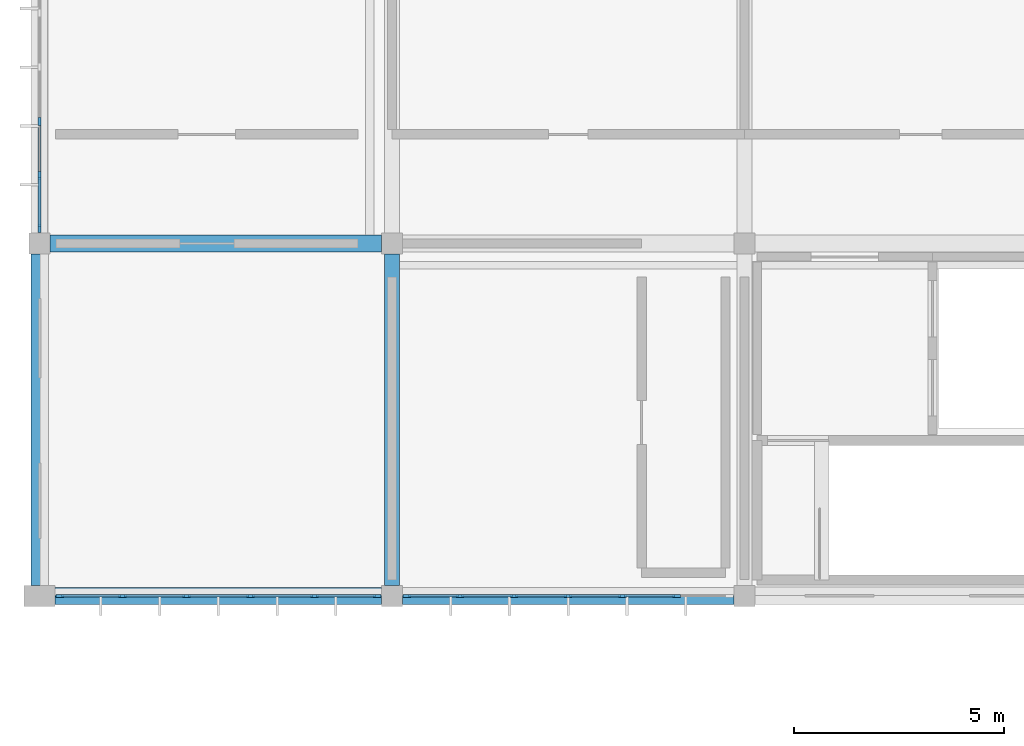
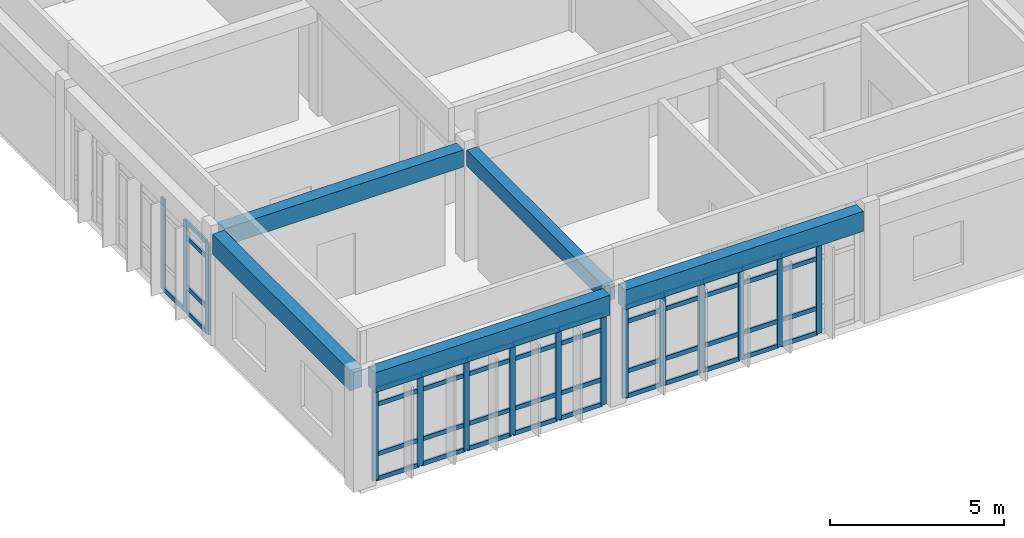
# One storey, part 3 of 119: 60 members, 5 beams, 3 elements without a shape of their own.
"""IFC4 building model written with IfcOpenShell, lengths in metres."""

import ifcopenshell
import ifcopenshell.guid

model = None  # the IFC model being written
_history = None  # IfcOwnerHistory: only IFC2X3 demands one
_inside = {}  # id of a spatial element -> (the spatial element, [elements in it])
_under = {}  # id of a project, library or spatial element -> (it, [spatial elements below it])
_declared = {}  # id of a project -> (the project, [libraries it declares])
_typed = {}  # id of a type object -> (the type object, [elements of that type])
_made_of = {}  # id of a material, layer set ... -> (it, [elements and type objects made of it])


def new_model(schema):
    """Start an empty IFC model of exactly this schema.

    Asked for "IFC4X3", IfcOpenShell would pick the latest addendum, in which some entities
    have other attributes; the version numbers below select the first issue.
    IFC2X3 requires an IfcOwnerHistory on every rooted entity: one is made here for all.
    """
    global model, _history
    if schema == "IFC4X3":
        model = ifcopenshell.file(schema_version=(4, 3, 0, 0))
    else:
        model = ifcopenshell.file(schema=schema)
    _inside.clear()
    _under.clear()
    _declared.clear()
    _typed.clear()
    _made_of.clear()
    _history = None
    if model.schema == "IFC2X3":
        org = make("IfcOrganization", Name="unknown")
        user = make(
            "IfcPersonAndOrganization",
            ThePerson=make("IfcPerson", FamilyName="unknown"),
            TheOrganization=org,
        )
        app = make(
            "IfcApplication",
            ApplicationDeveloper=org,
            Version="unknown",
            ApplicationFullName="unknown",
            ApplicationIdentifier="unknown",
        )
        _history = make(
            "IfcOwnerHistory",
            OwningUser=user,
            OwningApplication=app,
            ChangeAction="ADDED",
            CreationDate=0,
        )
    return model


def make(cls, **values):
    """One entity of the class cls with the attributes given. An attribute that is None is left unset."""
    return model.create_entity(
        cls, **{name: value for name, value in values.items() if value is not None}
    )


def rooted(cls, **values):
    """An entity with a GlobalId (a new one), such as an element, a storey or a relation."""
    return make(cls, GlobalId=ifcopenshell.guid.new(), OwnerHistory=_history, **values)


def si_unit(unit_type, name, prefix=None):
    """IfcSIUnit, for example si_unit("LENGTHUNIT", "METRE", prefix="MILLI")."""
    return make("IfcSIUnit", UnitType=unit_type, Prefix=prefix, Name=name)


def assignment(units):
    """IfcUnitAssignment: the units of a project."""
    return None if units is None else make("IfcUnitAssignment", Units=units)


def point(xyz):
    """IfcCartesianPoint."""
    return None if xyz is None else make("IfcCartesianPoint", Coordinates=xyz)


def direction(xyz):
    """IfcDirection."""
    return None if xyz is None else make("IfcDirection", DirectionRatios=xyz)


def frame(location, z_axis=None, x_axis=None):
    """IfcAxis2Placement3D, a coordinate frame: its origin and axes. An axis left out is left unset."""
    return make(
        "IfcAxis2Placement3D",
        Location=point(location),
        Axis=direction(z_axis),
        RefDirection=direction(x_axis),
    )


def frame_2d(location, x_axis=None):
    """IfcAxis2Placement2D, a coordinate frame in the plane: its origin and x axis."""
    return make(
        "IfcAxis2Placement2D", Location=point(location), RefDirection=direction(x_axis)
    )


def origin():
    """The frame at (0, 0, 0) with its axes left unset."""
    return frame((0.0, 0.0, 0.0))


def origin_2d():
    """The frame at (0, 0) in the plane with its x axis left unset."""
    return frame_2d((0.0, 0.0))


def place(relative_to, where):
    """IfcLocalPlacement: puts the frame where relative to a parent placement (None: the world)."""
    return make(
        "IfcLocalPlacement", PlacementRelTo=relative_to, RelativePlacement=where
    )


def context(
    kind, dimensions, precision=None, world=None, true_north=None, identifier=None
):
    """IfcGeometricRepresentationContext, for example the 3D "Model" context."""
    return make(
        "IfcGeometricRepresentationContext",
        ContextIdentifier=identifier,
        ContextType=kind,
        CoordinateSpaceDimension=dimensions,
        Precision=precision,
        WorldCoordinateSystem=world,
        TrueNorth=true_north,
    )


def subcontext(parent, identifier, kind, view, scale=None):
    """IfcGeometricRepresentationSubContext, for example "Body" below "Model"."""
    return make(
        "IfcGeometricRepresentationSubContext",
        ContextIdentifier=identifier,
        ContextType=kind,
        ParentContext=parent,
        TargetScale=scale,
        TargetView=view,
    )


def project(units=None, contexts=None):
    """IfcProject with its units and contexts."""
    return rooted(
        "IfcProject",
        Name="project",
        RepresentationContexts=contexts,
        UnitsInContext=assignment(units),
    )


def spatial(cls, under=None, at=None, **own):
    """A site, building, storey or space (cls), placed at a placement, below another one or the project."""
    s = rooted(cls, ObjectPlacement=at, **own)
    if under is not None:
        _under.setdefault(under.id(), (under, []))[1].append(s)
    return s


def profile(cls, at=None, kind="AREA", **sizes):
    """A parametric profile (cls). Its sizes go by their IFC names, for example OverallWidth=200.0."""
    return make(cls, ProfileType=kind, Position=at, **sizes)


def rectangle(**sizes):
    """IfcRectangleProfileDef."""
    return profile("IfcRectangleProfileDef", **sizes)


def extrude(swept, where, along, depth):
    """IfcExtrudedAreaSolid: the profile swept, set in the frame where, extruded along a direction by depth."""
    return make(
        "IfcExtrudedAreaSolid",
        SweptArea=swept,
        Position=where,
        ExtrudedDirection=direction(along),
        Depth=depth,
    )


def shape(context_of_items, identifier, shape_type, items):
    """IfcShapeRepresentation: the items that make up one representation, for example the "Body"."""
    return make(
        "IfcShapeRepresentation",
        ContextOfItems=context_of_items,
        RepresentationIdentifier=identifier,
        RepresentationType=shape_type,
        Items=items,
    )


def material(Name=None, Category=None):
    """IfcMaterial."""
    return make("IfcMaterial", Name=Name, Category=Category)


def layer(
    of_material, thickness, ventilated=None, Name=None, Category=None, Priority=None
):
    """IfcMaterialLayer: one layer of a wall or slab, of a material (None: an air gap)."""
    return make(
        "IfcMaterialLayer",
        Material=of_material,
        LayerThickness=thickness,
        IsVentilated=ventilated,
        Name=Name,
        Category=Category,
        Priority=Priority,
    )


def layer_set(layers, Name=None):
    """IfcMaterialLayerSet."""
    return make("IfcMaterialLayerSet", MaterialLayers=layers, LayerSetName=Name)


def material_profile(
    of_material, cross_section, Name=None, Category=None, Priority=None
):
    """IfcMaterialProfile: a cross section and its material."""
    return make(
        "IfcMaterialProfile",
        Name=Name,
        Material=of_material,
        Profile=cross_section,
        Priority=Priority,
        Category=Category,
    )


def profile_set(profiles, Name=None, composite=None):
    """IfcMaterialProfileSet."""
    return make(
        "IfcMaterialProfileSet",
        Name=Name,
        MaterialProfiles=profiles,
        CompositeProfile=composite,
    )


def made_of(thing, what):
    """Note that an element or type object is made of a material, layer set ...; save() writes the relation."""
    if what is not None:
        _made_of.setdefault(what.id(), (what, []))[1].append(thing)
    return thing


def type_object(cls, material=None, **own):
    """A type object (cls), such as IfcWallType, which elements share."""
    return made_of(rooted(cls, **own), material)


def element(
    cls,
    number,
    at=None,
    inside=None,
    cuts=None,
    type_object=None,
    material=None,
    context=None,
    identifier="Body",
    shape_type=None,
    held_by="IfcProductDefinitionShape",
    body=None,
    shapes=None,
    **own,
):
    """One element of the class cls, such as IfcWall. Its Tag is "e" and its number.

    at: its placement. inside: the storey or other place that contains it. cuts: it is an
    opening in that element (IfcRelVoidsElement). A single representation is given by context,
    identifier, shape_type and body (its items); several are given by shapes. held_by: the class
    of the entity that holds the representations. save() writes the other relations.
    """
    e = rooted(cls, Tag="e%d" % number, ObjectPlacement=at, **own)
    if body is not None:
        shapes = [shape(context, identifier, shape_type, body)]
    if shapes is not None:
        e.Representation = make(held_by, Representations=shapes)
    if inside is not None:
        _inside.setdefault(inside.id(), (inside, []))[1].append(e)
    if cuts is not None:
        rooted(
            "IfcRelVoidsElement", RelatingBuildingElement=cuts, RelatedOpeningElement=e
        )
    if type_object is not None:
        _typed.setdefault(type_object.id(), (type_object, []))[1].append(e)
    return made_of(e, material)


def aggregate(whole, parts):
    """IfcRelAggregates: a whole, such as a stair, and the parts it consists of."""
    return rooted("IfcRelAggregates", RelatingObject=whole, RelatedObjects=parts)


def save(model, path):
    """Write the relations noted so far, then the file.

    IfcRelAggregates (storeys below a building ...), IfcRelContainedInSpatialStructure (elements
    in a storey), IfcRelDefinesByType, IfcRelAssociatesMaterial and IfcRelDeclares: one each for
    every whole, place, type object, material and project.
    """
    for whole, parts in _under.values():
        aggregate(whole, parts)
    for where, things in _inside.values():
        rooted(
            "IfcRelContainedInSpatialStructure",
            RelatedElements=things,
            RelatingStructure=where,
        )
    for kind, things in _typed.values():
        rooted("IfcRelDefinesByType", RelatedObjects=things, RelatingType=kind)
    for what, things in _made_of.values():
        rooted("IfcRelAssociatesMaterial", RelatedObjects=things, RelatingMaterial=what)
    for by, libraries in _declared.values():
        rooted("IfcRelDeclares", RelatingContext=by, RelatedDefinitions=libraries)
    model.write(path)


model = new_model("IFC4")

# Units and contexts
model_context = context("Model", 3, precision=1e-05, world=origin(), true_north=direction((0.0, 1.0)))
body_context = subcontext(model_context, "Body", "Model", "MODEL_VIEW")
ifc_project = project(units=[si_unit("LENGTHUNIT", "METRE"), si_unit("AREAUNIT", "SQUARE_METRE"), si_unit("VOLUMEUNIT", "CUBIC_METRE"), si_unit("PLANEANGLEUNIT", "RADIAN"), si_unit("MASSUNIT", "GRAM", prefix="KILO")], contexts=[model_context])

# Site, building, storey
site_placement = place(None, origin())
site = spatial("IfcSite", under=ifc_project, at=site_placement, CompositionType="ELEMENT")
building_placement = place(site_placement, origin())
building = spatial("IfcBuilding", under=site, at=building_placement, Name="Bramfleet General Hospital", CompositionType="ELEMENT")
storey_placement = place(building_placement, frame((0.0, 0.0, 14.39990234375)))
storey = spatial("IfcBuildingStorey", under=building, at=storey_placement, Name="L03", CompositionType="ELEMENT", Elevation=14.39990234375)

# Beams
ifc_material_1 = material(Name="Concrete C35/45", Category="concrete")
ifc_material_profile_1 = material_profile(ifc_material_1, rectangle(XDim=0.35009765625, YDim=0.550048828125, at=origin_2d()), Name="RC BM 550x350")
ifc_profile_set_1 = profile_set([ifc_material_profile_1], Name="Concrete C35/45")
beam_type_1 = type_object("IfcBeamType", Name="BM-RC550", PredefinedType="BEAM", material=ifc_profile_set_1)
beam_1_placement = place(storey_placement, frame((8.39990234375, 50.64990234375, 3.625), z_axis=(0.0, 1.0, 0.0), x_axis=(-1.0, 0.0, 0.0)))
element("IfcBeam", 1, at=beam_1_placement, inside=storey, type_object=beam_type_1, Name="L03 Grid Beam Y 01-06", PredefinedType="BEAM", context=body_context, shape_type="SweptSolid", body=[
    extrude(rectangle(XDim=0.35009765625, YDim=0.550048828125, at=origin_2d()), origin(), (0.0, 0.0, 1.0), 7.900146484375),
])
ifc_material_profile_2 = material_profile(ifc_material_1, rectangle(XDim=0.39990234375, YDim=0.60009765625, at=origin_2d()), Name="RC BM 600x400")
ifc_profile_set_2 = profile_set([ifc_material_profile_2], Name="Concrete C35/45")
beam_type_2 = type_object("IfcBeamType", Name="BM-RC600", PredefinedType="BEAM", material=ifc_profile_set_2)
beam_2_placement = place(storey_placement, frame((0.25, 58.800048828125, 3.60009765625), z_axis=(1.0, 0.0, 0.0), x_axis=(0.0, 1.0, 0.0)))
element("IfcBeam", 2, at=beam_2_placement, inside=storey, type_object=beam_type_2, Name="L03 Grid Beam X 00-07", PredefinedType="BEAM", context=body_context, shape_type="SweptSolid", body=[
    extrude(rectangle(XDim=0.39990234375, YDim=0.60009765625, at=origin_2d()), origin(), (0.0, 0.0, 1.0), 7.89990234375),
])
ifc_material_profile_3 = material_profile(ifc_material_1, rectangle(XDim=0.39990234375, YDim=0.699951171875, at=origin_2d()), Name="RC SP 700x400")
ifc_profile_set_3 = profile_set([ifc_material_profile_3], Name="Concrete C35/45")
beam_type_3 = type_object("IfcBeamType", Name="BM-SP700", PredefinedType="SPANDREL", material=ifc_profile_set_3)
beam_3_placement = place(storey_placement, frame((0.375, 50.39990234375, 3.550048828125), z_axis=(1.0, 0.0, 0.0), x_axis=(0.0, 1.0, 0.0)))
element("IfcBeam", 3, at=beam_3_placement, inside=storey, type_object=beam_type_3, Name="L03 Grid Beam X 00-06", PredefinedType="SPANDREL", context=body_context, shape_type="SweptSolid", body=[
    extrude(rectangle(XDim=0.39990234375, YDim=0.699951171875, at=origin_2d()), origin(), (0.0, 0.0, 1.0), 7.77490234375),
])
for number, where, z_axis, x_axis, name in (
    (4, (8.64990234375, 50.39990234375, 3.550048828125), (1.0, 0.0, 0.0), (0.0, 1.0, 0.0), "L03 Grid Beam X 01-06"),
    (5, (0.0, 50.64990234375, 3.550048828125), (0.0, 1.0, 0.0), (-1.0, 0.0, 0.0), "L03 Grid Beam Y 00-06"),
):
    element("IfcBeam", number, at=place(storey_placement, frame(where, z_axis=z_axis, x_axis=x_axis)), inside=storey, type_object=beam_type_3, Name=name, PredefinedType="SPANDREL", context=body_context, shape_type="SweptSolid", body=[
        extrude(rectangle(XDim=0.39990234375, YDim=0.699951171875, at=origin_2d()), origin(), (0.0, 0.0, 1.0), 7.900146484375),
    ])

# Curtain wall, members
ifc_material_2 = material(Name="Anodised aluminium and low-E triple glazing", Category="aluminium")
ifc_layer_1 = layer(ifc_material_2, 0.179931640625, Name="CWT-CW-16")
ifc_layer_set_1 = layer_set([ifc_layer_1], Name="Anodised aluminium and low-E triple glazing")
curtain_wall_type_1 = type_object("IfcCurtainWallType", Name="CWT-CW-16", PredefinedType="USERDEFINED", material=ifc_layer_set_1)
curtain_wall_1_placement = place(storey_placement, origin())
curtain_wall_1 = element("IfcCurtainWall", 6, at=curtain_wall_1_placement, inside=storey, type_object=curtain_wall_type_1, Name="L03 Curtain Wall 142", ObjectType="Stick curtain wall", PredefinedType="USERDEFINED")
ifc_material_3 = material(Name="Structural timber GL28h", Category="wood")
ifc_material_profile_4 = material_profile(ifc_material_3, rectangle(XDim=0.070068359375, YDim=0.18994140625, at=origin_2d()), Name="LARCH 190x70")
ifc_profile_set_4 = profile_set([ifc_material_profile_4], Name="Structural timber GL28h")
member_type_1 = type_object("IfcMemberType", Name="CWM-LARCH450", PredefinedType="MULLION", material=ifc_profile_set_4)
member_1_placement = place(storey_placement, frame((0.0, 59.159912109375, 0.0), z_axis=(0.0, 0.0, 1.0), x_axis=(-1.0, 0.0, 0.0)))
member_1 = element("IfcMember", 7, at=member_1_placement, type_object=member_type_1, Name="CW-16 mullion 1", PredefinedType="MULLION", context=body_context, shape_type="SweptSolid", body=[
    extrude(rectangle(XDim=0.070068359375, YDim=0.18994140625, at=origin_2d()), origin(), (0.0, 0.0, 1.0), 3.190185546875),
])
member_2_placement = place(storey_placement, frame((0.0, 60.416748046875, 0.0), z_axis=(0.0, 0.0, 1.0), x_axis=(-1.0, 0.0, 0.0)))
member_2 = element("IfcMember", 8, at=member_2_placement, type_object=member_type_1, Name="CW-16 mullion 2", PredefinedType="MULLION", context=body_context, shape_type="SweptSolid", body=[
    extrude(rectangle(XDim=0.070068359375, YDim=0.18994140625, at=origin_2d()), origin(), (0.0, 0.0, 1.0), 3.190185546875),
])
member_3_placement = place(storey_placement, frame((0.0, 61.708251953125, 0.0), z_axis=(0.0, 0.0, 1.0), x_axis=(-1.0, 0.0, 0.0)))
member_3 = element("IfcMember", 9, at=member_3_placement, type_object=member_type_1, Name="CW-16 mullion 3", PredefinedType="MULLION", context=body_context, shape_type="SweptSolid", body=[
    extrude(rectangle(XDim=0.070068359375, YDim=0.18994140625, at=origin_2d()), origin(), (0.0, 0.0, 1.0), 3.190185546875),
])

ifc_layer_2 = layer(ifc_material_2, 0.179931640625, Name="CWT-CW-05")
ifc_layer_set_2 = layer_set([ifc_layer_2], Name="Anodised aluminium and low-E triple glazing")
curtain_wall_type_2 = type_object("IfcCurtainWallType", Name="CWT-CW-05", PredefinedType="USERDEFINED", material=ifc_layer_set_2)
curtain_wall_2_placement = place(storey_placement, origin())
curtain_wall_2 = element("IfcCurtainWall", 10, at=curtain_wall_2_placement, inside=storey, type_object=curtain_wall_type_2, Name="L03 Curtain Wall 185", ObjectType="Unitised curtain wall", PredefinedType="USERDEFINED")
member_4_placement = place(storey_placement, frame((15.183349609375, 50.39990234375, 0.0), z_axis=(0.0, 0.0, 1.0), x_axis=(0.0, -1.0, 0.0)))
member_4 = element("IfcMember", 11, at=member_4_placement, type_object=member_type_1, Name="CW-05 mullion 2", PredefinedType="MULLION", context=body_context, shape_type="SweptSolid", body=[
    extrude(rectangle(XDim=0.070068359375, YDim=0.18994140625, at=origin_2d()), origin(), (0.0, 0.0, 1.0), 3.190185546875),
])
member_5_placement = place(storey_placement, frame((13.8916015625, 50.39990234375, 0.0), z_axis=(0.0, 0.0, 1.0), x_axis=(0.0, -1.0, 0.0)))
member_5 = element("IfcMember", 12, at=member_5_placement, type_object=member_type_1, Name="CW-05 mullion 3", PredefinedType="MULLION", context=body_context, shape_type="SweptSolid", body=[
    extrude(rectangle(XDim=0.070068359375, YDim=0.18994140625, at=origin_2d()), origin(), (0.0, 0.0, 1.0), 3.190185546875),
])
member_6_placement = place(storey_placement, frame((12.60009765625, 50.39990234375, 0.0), z_axis=(0.0, 0.0, 1.0), x_axis=(0.0, -1.0, 0.0)))
member_6 = element("IfcMember", 13, at=member_6_placement, type_object=member_type_1, Name="CW-05 mullion 4", PredefinedType="MULLION", context=body_context, shape_type="SweptSolid", body=[
    extrude(rectangle(XDim=0.070068359375, YDim=0.18994140625, at=origin_2d()), origin(), (0.0, 0.0, 1.0), 3.190185546875),
])
member_7_placement = place(storey_placement, frame((11.308349609375, 50.39990234375, 0.0), z_axis=(0.0, 0.0, 1.0), x_axis=(0.0, -1.0, 0.0)))
member_7 = element("IfcMember", 14, at=member_7_placement, type_object=member_type_1, Name="CW-05 mullion 5", PredefinedType="MULLION", context=body_context, shape_type="SweptSolid", body=[
    extrude(rectangle(XDim=0.070068359375, YDim=0.18994140625, at=origin_2d()), origin(), (0.0, 0.0, 1.0), 3.190185546875),
])
member_8_placement = place(storey_placement, frame((10.0166015625, 50.39990234375, 0.0), z_axis=(0.0, 0.0, 1.0), x_axis=(0.0, -1.0, 0.0)))
member_8 = element("IfcMember", 15, at=member_8_placement, type_object=member_type_1, Name="CW-05 mullion 6", PredefinedType="MULLION", context=body_context, shape_type="SweptSolid", body=[
    extrude(rectangle(XDim=0.070068359375, YDim=0.18994140625, at=origin_2d()), origin(), (0.0, 0.0, 1.0), 3.190185546875),
])
member_9_placement = place(storey_placement, frame((8.760009765625, 50.39990234375, 0.0), z_axis=(0.0, 0.0, 1.0), x_axis=(0.0, -1.0, 0.0)))
member_9 = element("IfcMember", 16, at=member_9_placement, type_object=member_type_1, Name="CW-05 mullion 7", PredefinedType="MULLION", context=body_context, shape_type="SweptSolid", body=[
    extrude(rectangle(XDim=0.070068359375, YDim=0.18994140625, at=origin_2d()), origin(), (0.0, 0.0, 1.0), 3.190185546875),
])

ifc_layer_3 = layer(ifc_material_2, 0.179931640625, Name="CWT-CW-06")
ifc_layer_set_3 = layer_set([ifc_layer_3], Name="Anodised aluminium and low-E triple glazing")
curtain_wall_type_3 = type_object("IfcCurtainWallType", Name="CWT-CW-06", PredefinedType="USERDEFINED", material=ifc_layer_set_3)
curtain_wall_3_placement = place(storey_placement, origin())
curtain_wall_3 = element("IfcCurtainWall", 17, at=curtain_wall_3_placement, inside=storey, type_object=curtain_wall_type_3, Name="L03 Curtain Wall 186", ObjectType="Unitised curtain wall", PredefinedType="USERDEFINED")
member_10_placement = place(storey_placement, frame((8.0400390625, 50.39990234375, 0.0), z_axis=(0.0, 0.0, 1.0), x_axis=(0.0, -1.0, 0.0)))
member_10 = element("IfcMember", 18, at=member_10_placement, type_object=member_type_1, Name="CW-06 mullion 1", PredefinedType="MULLION", context=body_context, shape_type="SweptSolid", body=[
    extrude(rectangle(XDim=0.070068359375, YDim=0.18994140625, at=origin_2d()), origin(), (0.0, 0.0, 1.0), 3.190185546875),
])
member_11_placement = place(storey_placement, frame((6.550048828125, 50.39990234375, 0.0), z_axis=(0.0, 0.0, 1.0), x_axis=(0.0, -1.0, 0.0)))
member_11 = element("IfcMember", 19, at=member_11_placement, type_object=member_type_1, Name="CW-06 mullion 2", PredefinedType="MULLION", context=body_context, shape_type="SweptSolid", body=[
    extrude(rectangle(XDim=0.070068359375, YDim=0.18994140625, at=origin_2d()), origin(), (0.0, 0.0, 1.0), 3.190185546875),
])
member_12_placement = place(storey_placement, frame((5.02490234375, 50.39990234375, 0.0), z_axis=(0.0, 0.0, 1.0), x_axis=(0.0, -1.0, 0.0)))
member_12 = element("IfcMember", 20, at=member_12_placement, type_object=member_type_1, Name="CW-06 mullion 3", PredefinedType="MULLION", context=body_context, shape_type="SweptSolid", body=[
    extrude(rectangle(XDim=0.070068359375, YDim=0.18994140625, at=origin_2d()), origin(), (0.0, 0.0, 1.0), 3.190185546875),
])
member_13_placement = place(storey_placement, frame((3.5, 50.39990234375, 0.0), z_axis=(0.0, 0.0, 1.0), x_axis=(0.0, -1.0, 0.0)))
member_13 = element("IfcMember", 21, at=member_13_placement, type_object=member_type_1, Name="CW-06 mullion 4", PredefinedType="MULLION", context=body_context, shape_type="SweptSolid", body=[
    extrude(rectangle(XDim=0.070068359375, YDim=0.18994140625, at=origin_2d()), origin(), (0.0, 0.0, 1.0), 3.190185546875),
])
member_14_placement = place(storey_placement, frame((1.97509765625, 50.39990234375, 0.0), z_axis=(0.0, 0.0, 1.0), x_axis=(0.0, -1.0, 0.0)))
member_14 = element("IfcMember", 22, at=member_14_placement, type_object=member_type_1, Name="CW-06 mullion 5", PredefinedType="MULLION", context=body_context, shape_type="SweptSolid", body=[
    extrude(rectangle(XDim=0.070068359375, YDim=0.18994140625, at=origin_2d()), origin(), (0.0, 0.0, 1.0), 3.190185546875),
])
member_15_placement = place(storey_placement, frame((0.485107421875, 50.39990234375, 0.0), z_axis=(0.0, 0.0, 1.0), x_axis=(0.0, -1.0, 0.0)))
member_15 = element("IfcMember", 23, at=member_15_placement, type_object=member_type_1, Name="CW-06 mullion 6", PredefinedType="MULLION", context=body_context, shape_type="SweptSolid", body=[
    extrude(rectangle(XDim=0.070068359375, YDim=0.18994140625, at=origin_2d()), origin(), (0.0, 0.0, 1.0), 3.190185546875),
])

# Member
ifc_material_profile_5 = material_profile(ifc_material_3, rectangle(XDim=0.06494140625, YDim=0.14990234375, at=origin_2d()), Name="LARCH 150x65")
ifc_profile_set_5 = profile_set([ifc_material_profile_5], Name="Structural timber GL28h")
member_type_2 = type_object("IfcMemberType", Name="CWT-LARCH220", PredefinedType="USERDEFINED", material=ifc_profile_set_5)
member_16_placement = place(storey_placement, frame((0.0, 59.195068359375, 0.03271484375), z_axis=(0.0, 1.0, 0.0), x_axis=(-1.0, 0.0, 0.0)))
member_16 = element("IfcMember", 24, at=member_16_placement, type_object=member_type_2, Name="CW-16 transom 1.1", ObjectType="TRANSOM", PredefinedType="USERDEFINED", context=body_context, shape_type="SweptSolid", body=[
    extrude(rectangle(XDim=0.06494140625, YDim=0.14990234375, at=origin_2d()), origin(), (0.0, 0.0, 1.0), 1.1865234375),
])

member_17_placement = place(storey_placement, frame((0.0, 59.195068359375, 0.900146484375), z_axis=(0.0, 1.0, 0.0), x_axis=(-1.0, 0.0, 0.0)))
member_17 = element("IfcMember", 25, at=member_17_placement, type_object=member_type_2, Name="CW-16 transom 1.2", ObjectType="TRANSOM", PredefinedType="USERDEFINED", context=body_context, shape_type="SweptSolid", body=[
    extrude(rectangle(XDim=0.06494140625, YDim=0.14990234375, at=origin_2d()), origin(), (0.0, 0.0, 1.0), 1.1865234375),
])

member_18_placement = place(storey_placement, frame((0.0, 59.195068359375, 2.64013671875), z_axis=(0.0, 1.0, 0.0), x_axis=(-1.0, 0.0, 0.0)))
member_18 = element("IfcMember", 26, at=member_18_placement, type_object=member_type_2, Name="CW-16 transom 1.3", ObjectType="TRANSOM", PredefinedType="USERDEFINED", context=body_context, shape_type="SweptSolid", body=[
    extrude(rectangle(XDim=0.06494140625, YDim=0.14990234375, at=origin_2d()), origin(), (0.0, 0.0, 1.0), 1.1865234375),
])

member_19_placement = place(storey_placement, frame((0.0, 59.195068359375, 3.15771484375), z_axis=(0.0, 1.0, 0.0), x_axis=(-1.0, 0.0, 0.0)))
member_19 = element("IfcMember", 27, at=member_19_placement, type_object=member_type_2, Name="CW-16 transom 1.4", ObjectType="TRANSOM", PredefinedType="USERDEFINED", context=body_context, shape_type="SweptSolid", body=[
    extrude(rectangle(XDim=0.06494140625, YDim=0.14990234375, at=origin_2d()), origin(), (0.0, 0.0, 1.0), 1.1865234375),
])

member_20_placement = place(storey_placement, frame((0.0, 60.45166015625, 0.03271484375), z_axis=(0.0, 1.0, 0.0), x_axis=(-1.0, 0.0, 0.0)))
member_20 = element("IfcMember", 28, at=member_20_placement, type_object=member_type_2, Name="CW-16 transom 2.1", ObjectType="TRANSOM", PredefinedType="USERDEFINED", context=body_context, shape_type="SweptSolid", body=[
    extrude(rectangle(XDim=0.06494140625, YDim=0.14990234375, at=origin_2d()), origin(), (0.0, 0.0, 1.0), 1.2216796875),
])

aggregate(curtain_wall_1, [member_1, member_2, member_3, member_16, member_17, member_18, member_19, member_20])

member_21_placement = place(storey_placement, frame((15.1484375, 50.39990234375, 0.03271484375), z_axis=(-1.0, 0.0, 0.0), x_axis=(0.0, -1.0, 0.0)))
member_21 = element("IfcMember", 29, at=member_21_placement, type_object=member_type_2, Name="CW-05 transom 2.1", ObjectType="TRANSOM", PredefinedType="USERDEFINED", context=body_context, shape_type="SweptSolid", body=[
    extrude(rectangle(XDim=0.06494140625, YDim=0.14990234375, at=origin_2d()), origin(), (0.0, 0.0, 1.0), 1.2216796875),
])

member_22_placement = place(storey_placement, frame((15.1484375, 50.39990234375, 0.900146484375), z_axis=(-1.0, 0.0, 0.0), x_axis=(0.0, -1.0, 0.0)))
member_22 = element("IfcMember", 30, at=member_22_placement, type_object=member_type_2, Name="CW-05 transom 2.2", ObjectType="TRANSOM", PredefinedType="USERDEFINED", context=body_context, shape_type="SweptSolid", body=[
    extrude(rectangle(XDim=0.06494140625, YDim=0.14990234375, at=origin_2d()), origin(), (0.0, 0.0, 1.0), 1.2216796875),
])

member_23_placement = place(storey_placement, frame((15.1484375, 50.39990234375, 2.64013671875), z_axis=(-1.0, 0.0, 0.0), x_axis=(0.0, -1.0, 0.0)))
member_23 = element("IfcMember", 31, at=member_23_placement, type_object=member_type_2, Name="CW-05 transom 2.3", ObjectType="TRANSOM", PredefinedType="USERDEFINED", context=body_context, shape_type="SweptSolid", body=[
    extrude(rectangle(XDim=0.06494140625, YDim=0.14990234375, at=origin_2d()), origin(), (0.0, 0.0, 1.0), 1.2216796875),
])

member_24_placement = place(storey_placement, frame((15.1484375, 50.39990234375, 3.15771484375), z_axis=(-1.0, 0.0, 0.0), x_axis=(0.0, -1.0, 0.0)))
member_24 = element("IfcMember", 32, at=member_24_placement, type_object=member_type_2, Name="CW-05 transom 2.4", ObjectType="TRANSOM", PredefinedType="USERDEFINED", context=body_context, shape_type="SweptSolid", body=[
    extrude(rectangle(XDim=0.06494140625, YDim=0.14990234375, at=origin_2d()), origin(), (0.0, 0.0, 1.0), 1.2216796875),
])

member_25_placement = place(storey_placement, frame((13.856689453125, 50.39990234375, 0.03271484375), z_axis=(-1.0, 0.0, 0.0), x_axis=(0.0, -1.0, 0.0)))
member_25 = element("IfcMember", 33, at=member_25_placement, type_object=member_type_2, Name="CW-05 transom 3.1", ObjectType="TRANSOM", PredefinedType="USERDEFINED", context=body_context, shape_type="SweptSolid", body=[
    extrude(rectangle(XDim=0.06494140625, YDim=0.14990234375, at=origin_2d()), origin(), (0.0, 0.0, 1.0), 1.2216796875),
])

member_26_placement = place(storey_placement, frame((13.856689453125, 50.39990234375, 0.900146484375), z_axis=(-1.0, 0.0, 0.0), x_axis=(0.0, -1.0, 0.0)))
member_26 = element("IfcMember", 34, at=member_26_placement, type_object=member_type_2, Name="CW-05 transom 3.2", ObjectType="TRANSOM", PredefinedType="USERDEFINED", context=body_context, shape_type="SweptSolid", body=[
    extrude(rectangle(XDim=0.06494140625, YDim=0.14990234375, at=origin_2d()), origin(), (0.0, 0.0, 1.0), 1.2216796875),
])

member_27_placement = place(storey_placement, frame((13.856689453125, 50.39990234375, 2.64013671875), z_axis=(-1.0, 0.0, 0.0), x_axis=(0.0, -1.0, 0.0)))
member_27 = element("IfcMember", 35, at=member_27_placement, type_object=member_type_2, Name="CW-05 transom 3.3", ObjectType="TRANSOM", PredefinedType="USERDEFINED", context=body_context, shape_type="SweptSolid", body=[
    extrude(rectangle(XDim=0.06494140625, YDim=0.14990234375, at=origin_2d()), origin(), (0.0, 0.0, 1.0), 1.2216796875),
])

member_28_placement = place(storey_placement, frame((13.856689453125, 50.39990234375, 3.15771484375), z_axis=(-1.0, 0.0, 0.0), x_axis=(0.0, -1.0, 0.0)))
member_28 = element("IfcMember", 36, at=member_28_placement, type_object=member_type_2, Name="CW-05 transom 3.4", ObjectType="TRANSOM", PredefinedType="USERDEFINED", context=body_context, shape_type="SweptSolid", body=[
    extrude(rectangle(XDim=0.06494140625, YDim=0.14990234375, at=origin_2d()), origin(), (0.0, 0.0, 1.0), 1.2216796875),
])

member_29_placement = place(storey_placement, frame((12.56494140625, 50.39990234375, 0.03271484375), z_axis=(-1.0, 0.0, 0.0), x_axis=(0.0, -1.0, 0.0)))
member_29 = element("IfcMember", 37, at=member_29_placement, type_object=member_type_2, Name="CW-05 transom 4.1", ObjectType="TRANSOM", PredefinedType="USERDEFINED", context=body_context, shape_type="SweptSolid", body=[
    extrude(rectangle(XDim=0.06494140625, YDim=0.14990234375, at=origin_2d()), origin(), (0.0, 0.0, 1.0), 1.2216796875),
])

member_30_placement = place(storey_placement, frame((12.56494140625, 50.39990234375, 0.900146484375), z_axis=(-1.0, 0.0, 0.0), x_axis=(0.0, -1.0, 0.0)))
member_30 = element("IfcMember", 38, at=member_30_placement, type_object=member_type_2, Name="CW-05 transom 4.2", ObjectType="TRANSOM", PredefinedType="USERDEFINED", context=body_context, shape_type="SweptSolid", body=[
    extrude(rectangle(XDim=0.06494140625, YDim=0.14990234375, at=origin_2d()), origin(), (0.0, 0.0, 1.0), 1.2216796875),
])

member_31_placement = place(storey_placement, frame((12.56494140625, 50.39990234375, 2.64013671875), z_axis=(-1.0, 0.0, 0.0), x_axis=(0.0, -1.0, 0.0)))
member_31 = element("IfcMember", 39, at=member_31_placement, type_object=member_type_2, Name="CW-05 transom 4.3", ObjectType="TRANSOM", PredefinedType="USERDEFINED", context=body_context, shape_type="SweptSolid", body=[
    extrude(rectangle(XDim=0.06494140625, YDim=0.14990234375, at=origin_2d()), origin(), (0.0, 0.0, 1.0), 1.2216796875),
])

member_32_placement = place(storey_placement, frame((12.56494140625, 50.39990234375, 3.15771484375), z_axis=(-1.0, 0.0, 0.0), x_axis=(0.0, -1.0, 0.0)))
member_32 = element("IfcMember", 40, at=member_32_placement, type_object=member_type_2, Name="CW-05 transom 4.4", ObjectType="TRANSOM", PredefinedType="USERDEFINED", context=body_context, shape_type="SweptSolid", body=[
    extrude(rectangle(XDim=0.06494140625, YDim=0.14990234375, at=origin_2d()), origin(), (0.0, 0.0, 1.0), 1.2216796875),
])

member_33_placement = place(storey_placement, frame((11.2734375, 50.39990234375, 0.03271484375), z_axis=(-1.0, 0.0, 0.0), x_axis=(0.0, -1.0, 0.0)))
member_33 = element("IfcMember", 41, at=member_33_placement, type_object=member_type_2, Name="CW-05 transom 5.1", ObjectType="TRANSOM", PredefinedType="USERDEFINED", context=body_context, shape_type="SweptSolid", body=[
    extrude(rectangle(XDim=0.06494140625, YDim=0.14990234375, at=origin_2d()), origin(), (0.0, 0.0, 1.0), 1.2216796875),
])

member_34_placement = place(storey_placement, frame((11.2734375, 50.39990234375, 0.900146484375), z_axis=(-1.0, 0.0, 0.0), x_axis=(0.0, -1.0, 0.0)))
member_34 = element("IfcMember", 42, at=member_34_placement, type_object=member_type_2, Name="CW-05 transom 5.2", ObjectType="TRANSOM", PredefinedType="USERDEFINED", context=body_context, shape_type="SweptSolid", body=[
    extrude(rectangle(XDim=0.06494140625, YDim=0.14990234375, at=origin_2d()), origin(), (0.0, 0.0, 1.0), 1.2216796875),
])

member_35_placement = place(storey_placement, frame((11.2734375, 50.39990234375, 2.64013671875), z_axis=(-1.0, 0.0, 0.0), x_axis=(0.0, -1.0, 0.0)))
member_35 = element("IfcMember", 43, at=member_35_placement, type_object=member_type_2, Name="CW-05 transom 5.3", ObjectType="TRANSOM", PredefinedType="USERDEFINED", context=body_context, shape_type="SweptSolid", body=[
    extrude(rectangle(XDim=0.06494140625, YDim=0.14990234375, at=origin_2d()), origin(), (0.0, 0.0, 1.0), 1.2216796875),
])

member_36_placement = place(storey_placement, frame((11.2734375, 50.39990234375, 3.15771484375), z_axis=(-1.0, 0.0, 0.0), x_axis=(0.0, -1.0, 0.0)))
member_36 = element("IfcMember", 44, at=member_36_placement, type_object=member_type_2, Name="CW-05 transom 5.4", ObjectType="TRANSOM", PredefinedType="USERDEFINED", context=body_context, shape_type="SweptSolid", body=[
    extrude(rectangle(XDim=0.06494140625, YDim=0.14990234375, at=origin_2d()), origin(), (0.0, 0.0, 1.0), 1.2216796875),
])

member_37_placement = place(storey_placement, frame((9.981689453125, 50.39990234375, 0.03271484375), z_axis=(-1.0, 0.0, 0.0), x_axis=(0.0, -1.0, 0.0)))
member_37 = element("IfcMember", 45, at=member_37_placement, type_object=member_type_2, Name="CW-05 transom 6.1", ObjectType="TRANSOM", PredefinedType="USERDEFINED", context=body_context, shape_type="SweptSolid", body=[
    extrude(rectangle(XDim=0.06494140625, YDim=0.14990234375, at=origin_2d()), origin(), (0.0, 0.0, 1.0), 1.186767578125),
])

member_38_placement = place(storey_placement, frame((9.981689453125, 50.39990234375, 0.900146484375), z_axis=(-1.0, 0.0, 0.0), x_axis=(0.0, -1.0, 0.0)))
member_38 = element("IfcMember", 46, at=member_38_placement, type_object=member_type_2, Name="CW-05 transom 6.2", ObjectType="TRANSOM", PredefinedType="USERDEFINED", context=body_context, shape_type="SweptSolid", body=[
    extrude(rectangle(XDim=0.06494140625, YDim=0.14990234375, at=origin_2d()), origin(), (0.0, 0.0, 1.0), 1.186767578125),
])

member_39_placement = place(storey_placement, frame((9.981689453125, 50.39990234375, 2.64013671875), z_axis=(-1.0, 0.0, 0.0), x_axis=(0.0, -1.0, 0.0)))
member_39 = element("IfcMember", 47, at=member_39_placement, type_object=member_type_2, Name="CW-05 transom 6.3", ObjectType="TRANSOM", PredefinedType="USERDEFINED", context=body_context, shape_type="SweptSolid", body=[
    extrude(rectangle(XDim=0.06494140625, YDim=0.14990234375, at=origin_2d()), origin(), (0.0, 0.0, 1.0), 1.186767578125),
])

member_40_placement = place(storey_placement, frame((9.981689453125, 50.39990234375, 3.15771484375), z_axis=(-1.0, 0.0, 0.0), x_axis=(0.0, -1.0, 0.0)))
member_40 = element("IfcMember", 48, at=member_40_placement, type_object=member_type_2, Name="CW-05 transom 6.4", ObjectType="TRANSOM", PredefinedType="USERDEFINED", context=body_context, shape_type="SweptSolid", body=[
    extrude(rectangle(XDim=0.06494140625, YDim=0.14990234375, at=origin_2d()), origin(), (0.0, 0.0, 1.0), 1.186767578125),
])

aggregate(curtain_wall_2, [member_4, member_5, member_6, member_7, member_8, member_9, member_21, member_22, member_23, member_24, member_25, member_26, member_27, member_28, member_29, member_30, member_31, member_32, member_33, member_34, member_35, member_36, member_37, member_38, member_39, member_40])

member_41_placement = place(storey_placement, frame((8.0048828125, 50.39990234375, 0.03271484375), z_axis=(-1.0, 0.0, 0.0), x_axis=(0.0, -1.0, 0.0)))
member_41 = element("IfcMember", 49, at=member_41_placement, type_object=member_type_2, Name="CW-06 transom 1.1", ObjectType="TRANSOM", PredefinedType="USERDEFINED", context=body_context, shape_type="SweptSolid", body=[
    extrude(rectangle(XDim=0.06494140625, YDim=0.14990234375, at=origin_2d()), origin(), (0.0, 0.0, 1.0), 1.419921875),
])

member_42_placement = place(storey_placement, frame((8.0048828125, 50.39990234375, 0.900146484375), z_axis=(-1.0, 0.0, 0.0), x_axis=(0.0, -1.0, 0.0)))
member_42 = element("IfcMember", 50, at=member_42_placement, type_object=member_type_2, Name="CW-06 transom 1.2", ObjectType="TRANSOM", PredefinedType="USERDEFINED", context=body_context, shape_type="SweptSolid", body=[
    extrude(rectangle(XDim=0.06494140625, YDim=0.14990234375, at=origin_2d()), origin(), (0.0, 0.0, 1.0), 1.419921875),
])

member_43_placement = place(storey_placement, frame((8.0048828125, 50.39990234375, 2.64013671875), z_axis=(-1.0, 0.0, 0.0), x_axis=(0.0, -1.0, 0.0)))
member_43 = element("IfcMember", 51, at=member_43_placement, type_object=member_type_2, Name="CW-06 transom 1.3", ObjectType="TRANSOM", PredefinedType="USERDEFINED", context=body_context, shape_type="SweptSolid", body=[
    extrude(rectangle(XDim=0.06494140625, YDim=0.14990234375, at=origin_2d()), origin(), (0.0, 0.0, 1.0), 1.419921875),
])

member_44_placement = place(storey_placement, frame((8.0048828125, 50.39990234375, 3.15771484375), z_axis=(-1.0, 0.0, 0.0), x_axis=(0.0, -1.0, 0.0)))
member_44 = element("IfcMember", 52, at=member_44_placement, type_object=member_type_2, Name="CW-06 transom 1.4", ObjectType="TRANSOM", PredefinedType="USERDEFINED", context=body_context, shape_type="SweptSolid", body=[
    extrude(rectangle(XDim=0.06494140625, YDim=0.14990234375, at=origin_2d()), origin(), (0.0, 0.0, 1.0), 1.419921875),
])

member_45_placement = place(storey_placement, frame((6.514892578125, 50.39990234375, 0.03271484375), z_axis=(-1.0, 0.0, 0.0), x_axis=(0.0, -1.0, 0.0)))
member_45 = element("IfcMember", 53, at=member_45_placement, type_object=member_type_2, Name="CW-06 transom 2.1", ObjectType="TRANSOM", PredefinedType="USERDEFINED", context=body_context, shape_type="SweptSolid", body=[
    extrude(rectangle(XDim=0.06494140625, YDim=0.14990234375, at=origin_2d()), origin(), (0.0, 0.0, 1.0), 1.454833984375),
])

member_46_placement = place(storey_placement, frame((6.514892578125, 50.39990234375, 0.900146484375), z_axis=(-1.0, 0.0, 0.0), x_axis=(0.0, -1.0, 0.0)))
member_46 = element("IfcMember", 54, at=member_46_placement, type_object=member_type_2, Name="CW-06 transom 2.2", ObjectType="TRANSOM", PredefinedType="USERDEFINED", context=body_context, shape_type="SweptSolid", body=[
    extrude(rectangle(XDim=0.06494140625, YDim=0.14990234375, at=origin_2d()), origin(), (0.0, 0.0, 1.0), 1.454833984375),
])

member_47_placement = place(storey_placement, frame((6.514892578125, 50.39990234375, 2.64013671875), z_axis=(-1.0, 0.0, 0.0), x_axis=(0.0, -1.0, 0.0)))
member_47 = element("IfcMember", 55, at=member_47_placement, type_object=member_type_2, Name="CW-06 transom 2.3", ObjectType="TRANSOM", PredefinedType="USERDEFINED", context=body_context, shape_type="SweptSolid", body=[
    extrude(rectangle(XDim=0.06494140625, YDim=0.14990234375, at=origin_2d()), origin(), (0.0, 0.0, 1.0), 1.454833984375),
])

member_48_placement = place(storey_placement, frame((6.514892578125, 50.39990234375, 3.15771484375), z_axis=(-1.0, 0.0, 0.0), x_axis=(0.0, -1.0, 0.0)))
member_48 = element("IfcMember", 56, at=member_48_placement, type_object=member_type_2, Name="CW-06 transom 2.4", ObjectType="TRANSOM", PredefinedType="USERDEFINED", context=body_context, shape_type="SweptSolid", body=[
    extrude(rectangle(XDim=0.06494140625, YDim=0.14990234375, at=origin_2d()), origin(), (0.0, 0.0, 1.0), 1.454833984375),
])

member_49_placement = place(storey_placement, frame((4.989990234375, 50.39990234375, 0.03271484375), z_axis=(-1.0, 0.0, 0.0), x_axis=(0.0, -1.0, 0.0)))
member_49 = element("IfcMember", 57, at=member_49_placement, type_object=member_type_2, Name="CW-06 transom 3.1", ObjectType="TRANSOM", PredefinedType="USERDEFINED", context=body_context, shape_type="SweptSolid", body=[
    extrude(rectangle(XDim=0.06494140625, YDim=0.14990234375, at=origin_2d()), origin(), (0.0, 0.0, 1.0), 1.455078125),
])

member_50_placement = place(storey_placement, frame((4.989990234375, 50.39990234375, 0.900146484375), z_axis=(-1.0, 0.0, 0.0), x_axis=(0.0, -1.0, 0.0)))
member_50 = element("IfcMember", 58, at=member_50_placement, type_object=member_type_2, Name="CW-06 transom 3.2", ObjectType="TRANSOM", PredefinedType="USERDEFINED", context=body_context, shape_type="SweptSolid", body=[
    extrude(rectangle(XDim=0.06494140625, YDim=0.14990234375, at=origin_2d()), origin(), (0.0, 0.0, 1.0), 1.455078125),
])

member_51_placement = place(storey_placement, frame((4.989990234375, 50.39990234375, 2.64013671875), z_axis=(-1.0, 0.0, 0.0), x_axis=(0.0, -1.0, 0.0)))
member_51 = element("IfcMember", 59, at=member_51_placement, type_object=member_type_2, Name="CW-06 transom 3.3", ObjectType="TRANSOM", PredefinedType="USERDEFINED", context=body_context, shape_type="SweptSolid", body=[
    extrude(rectangle(XDim=0.06494140625, YDim=0.14990234375, at=origin_2d()), origin(), (0.0, 0.0, 1.0), 1.455078125),
])

member_52_placement = place(storey_placement, frame((4.989990234375, 50.39990234375, 3.15771484375), z_axis=(-1.0, 0.0, 0.0), x_axis=(0.0, -1.0, 0.0)))
member_52 = element("IfcMember", 60, at=member_52_placement, type_object=member_type_2, Name="CW-06 transom 3.4", ObjectType="TRANSOM", PredefinedType="USERDEFINED", context=body_context, shape_type="SweptSolid", body=[
    extrude(rectangle(XDim=0.06494140625, YDim=0.14990234375, at=origin_2d()), origin(), (0.0, 0.0, 1.0), 1.455078125),
])

member_53_placement = place(storey_placement, frame((3.465087890625, 50.39990234375, 0.03271484375), z_axis=(-1.0, 0.0, 0.0), x_axis=(0.0, -1.0, 0.0)))
member_53 = element("IfcMember", 61, at=member_53_placement, type_object=member_type_2, Name="CW-06 transom 4.1", ObjectType="TRANSOM", PredefinedType="USERDEFINED", context=body_context, shape_type="SweptSolid", body=[
    extrude(rectangle(XDim=0.06494140625, YDim=0.14990234375, at=origin_2d()), origin(), (0.0, 0.0, 1.0), 1.455078125),
])

member_54_placement = place(storey_placement, frame((3.465087890625, 50.39990234375, 0.900146484375), z_axis=(-1.0, 0.0, 0.0), x_axis=(0.0, -1.0, 0.0)))
member_54 = element("IfcMember", 62, at=member_54_placement, type_object=member_type_2, Name="CW-06 transom 4.2", ObjectType="TRANSOM", PredefinedType="USERDEFINED", context=body_context, shape_type="SweptSolid", body=[
    extrude(rectangle(XDim=0.06494140625, YDim=0.14990234375, at=origin_2d()), origin(), (0.0, 0.0, 1.0), 1.455078125),
])

member_55_placement = place(storey_placement, frame((3.465087890625, 50.39990234375, 2.64013671875), z_axis=(-1.0, 0.0, 0.0), x_axis=(0.0, -1.0, 0.0)))
member_55 = element("IfcMember", 63, at=member_55_placement, type_object=member_type_2, Name="CW-06 transom 4.3", ObjectType="TRANSOM", PredefinedType="USERDEFINED", context=body_context, shape_type="SweptSolid", body=[
    extrude(rectangle(XDim=0.06494140625, YDim=0.14990234375, at=origin_2d()), origin(), (0.0, 0.0, 1.0), 1.455078125),
])

member_56_placement = place(storey_placement, frame((3.465087890625, 50.39990234375, 3.15771484375), z_axis=(-1.0, 0.0, 0.0), x_axis=(0.0, -1.0, 0.0)))
member_56 = element("IfcMember", 64, at=member_56_placement, type_object=member_type_2, Name="CW-06 transom 4.4", ObjectType="TRANSOM", PredefinedType="USERDEFINED", context=body_context, shape_type="SweptSolid", body=[
    extrude(rectangle(XDim=0.06494140625, YDim=0.14990234375, at=origin_2d()), origin(), (0.0, 0.0, 1.0), 1.455078125),
])

member_57_placement = place(storey_placement, frame((1.93994140625, 50.39990234375, 0.03271484375), z_axis=(-1.0, 0.0, 0.0), x_axis=(0.0, -1.0, 0.0)))
member_57 = element("IfcMember", 65, at=member_57_placement, type_object=member_type_2, Name="CW-06 transom 5.1", ObjectType="TRANSOM", PredefinedType="USERDEFINED", context=body_context, shape_type="SweptSolid", body=[
    extrude(rectangle(XDim=0.06494140625, YDim=0.14990234375, at=origin_2d()), origin(), (0.0, 0.0, 1.0), 1.419921875),
])

member_58_placement = place(storey_placement, frame((1.93994140625, 50.39990234375, 0.900146484375), z_axis=(-1.0, 0.0, 0.0), x_axis=(0.0, -1.0, 0.0)))
member_58 = element("IfcMember", 66, at=member_58_placement, type_object=member_type_2, Name="CW-06 transom 5.2", ObjectType="TRANSOM", PredefinedType="USERDEFINED", context=body_context, shape_type="SweptSolid", body=[
    extrude(rectangle(XDim=0.06494140625, YDim=0.14990234375, at=origin_2d()), origin(), (0.0, 0.0, 1.0), 1.419921875),
])

member_59_placement = place(storey_placement, frame((1.93994140625, 50.39990234375, 2.64013671875), z_axis=(-1.0, 0.0, 0.0), x_axis=(0.0, -1.0, 0.0)))
member_59 = element("IfcMember", 67, at=member_59_placement, type_object=member_type_2, Name="CW-06 transom 5.3", ObjectType="TRANSOM", PredefinedType="USERDEFINED", context=body_context, shape_type="SweptSolid", body=[
    extrude(rectangle(XDim=0.06494140625, YDim=0.14990234375, at=origin_2d()), origin(), (0.0, 0.0, 1.0), 1.419921875),
])

member_60_placement = place(storey_placement, frame((1.93994140625, 50.39990234375, 3.15771484375), z_axis=(-1.0, 0.0, 0.0), x_axis=(0.0, -1.0, 0.0)))
member_60 = element("IfcMember", 68, at=member_60_placement, type_object=member_type_2, Name="CW-06 transom 5.4", ObjectType="TRANSOM", PredefinedType="USERDEFINED", context=body_context, shape_type="SweptSolid", body=[
    extrude(rectangle(XDim=0.06494140625, YDim=0.14990234375, at=origin_2d()), origin(), (0.0, 0.0, 1.0), 1.419921875),
])

aggregate(curtain_wall_3, [member_10, member_11, member_12, member_13, member_14, member_15, member_41, member_42, member_43, member_44, member_45, member_46, member_47, member_48, member_49, member_50, member_51, member_52, member_53, member_54, member_55, member_56, member_57, member_58, member_59, member_60])

save(model, "model.ifc")
